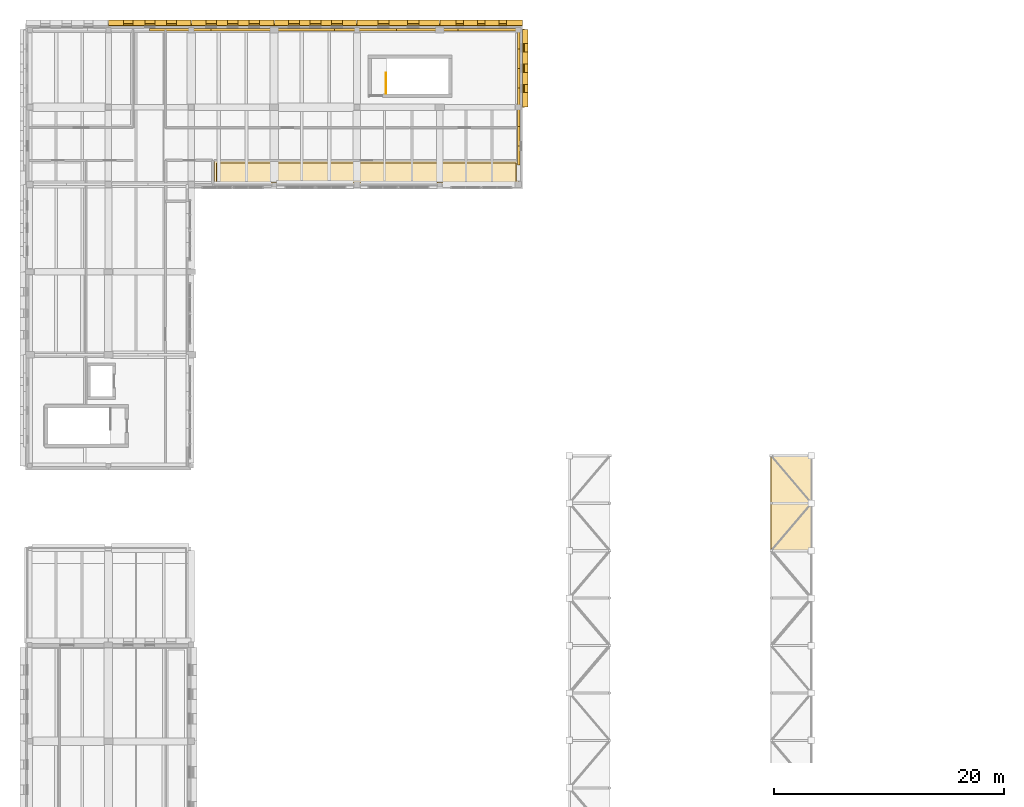
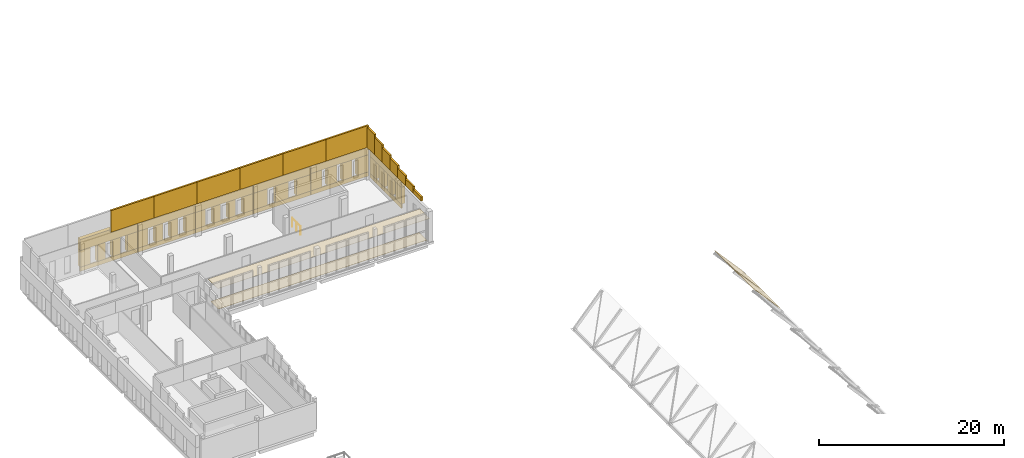
# One storey, part 33 of 34: 52 coverings, 1 railing.
"""IFC4 building model written with IfcOpenShell, lengths in metres."""

from ifc_helpers import new_model, si_unit, direction, frame, origin, origin_2d, place, context, subcontext, project, spatial, polyline, circle, outline, extrude, material, layer, layer_set, type_object, element, save


model = new_model("IFC4")

# Units and contexts
model_context = context("Model", 3, precision=1e-05, world=origin(), true_north=direction((0.0, 1.0)))
body_context = subcontext(model_context, "Body", "Model", "MODEL_VIEW")
ifc_project = project(units=[si_unit("LENGTHUNIT", "METRE"), si_unit("AREAUNIT", "SQUARE_METRE"), si_unit("VOLUMEUNIT", "CUBIC_METRE"), si_unit("PLANEANGLEUNIT", "RADIAN"), si_unit("MASSUNIT", "GRAM", prefix="KILO")], contexts=[model_context])

# Site, building, storey
site_placement = place(None, origin())
site = spatial("IfcSite", under=ifc_project, at=site_placement, CompositionType="ELEMENT")
building_placement = place(site_placement, origin())
building = spatial("IfcBuilding", under=site, at=building_placement, Name="Vardoun Plaza Health Centre", CompositionType="ELEMENT")
storey_placement = place(building_placement, frame((0.0, 0.0, 12.89990234375)))
storey = spatial("IfcBuildingStorey", under=building, at=storey_placement, Name="L03", CompositionType="ELEMENT", Elevation=12.89990234375)

# Coverings
ifc_material_1 = material(Name="Hygienic Acoustic Mineral-Fibre Ceiling", Category="concrete")
ifc_layer_1 = layer(ifc_material_1, 0.02490234375)
ifc_layer_set_1 = layer_set([ifc_layer_1], Name="Hygienic Acoustic Mineral-Fibre Ceiling")
covering_type_1 = type_object("IfcCoveringType", Name="CL-01", PredefinedType="CEILING", material=ifc_layer_set_1)
covering_1_placement = place(storey_placement, frame((0.0, 0.0, 2.89501953125)))
element("IfcCovering", 1, at=covering_1_placement, inside=storey, type_object=covering_type_1, Name="Maternal-Child Consulting Room 31 A Acoustic Ceiling", PredefinedType="CEILING", context=body_context, shape_type="SweptSolid", body=[
    extrude(outline(polyline([(20.903564453125, 101.4599609375), (20.903564453125, 103.570068359375), (47.340087890625, 103.570068359375), (47.340087890625, 101.4599609375), (20.903564453125, 101.4599609375)])), origin(), (0.0, 0.0, 1.0), 0.025146484375),
])
ifc_material_2 = material(Name="Pale Limestone Concrete C35/45", Category="masonry")
ifc_layer_2 = layer(ifc_material_2, 0.080078125)
ifc_layer_set_2 = layer_set([ifc_layer_2], Name="Pale Limestone Concrete C35/45")
covering_type_2 = type_object("IfcCoveringType", Name="CL-EXT1", PredefinedType="CLADDING", material=ifc_layer_set_2)
covering_2_placement = place(storey_placement, origin())
element("IfcCovering", 2, at=covering_2_placement, inside=storey, type_object=covering_type_2, Name="V3 L03 Pale Concrete Sill Band 915", PredefinedType="CLADDING", context=body_context, shape_type="SweptSolid", body=[
    extrude(outline(polyline([(11.719970703125, 115.300048828125), (18.8798828125, 115.300048828125), (18.8798828125, 115.43994140625), (11.719970703125, 115.43994140625), (11.719970703125, 115.300048828125)])), origin(), (0.0, 0.0, 1.0), 0.550048828125),
])
covering_3_placement = place(storey_placement, frame((0.0, 0.0, 2.75)))
element("IfcCovering", 3, at=covering_3_placement, inside=storey, type_object=covering_type_2, Name="V3 L03 Sculpted Concrete Eyebrow Hood 916", PredefinedType="CLADDING", context=body_context, shape_type="SweptSolid", body=[
    extrude(outline(polyline([(11.719970703125, 115.300048828125), (18.8798828125, 115.300048828125), (18.8798828125, 115.780029296875), (11.719970703125, 115.780029296875), (11.719970703125, 115.300048828125)])), origin(), (0.0, 0.0, 1.0), 1.4501953125),
])
covering_4_placement = place(storey_placement, frame((0.0, 0.0, 0.550048828125)))
element("IfcCovering", 4, at=covering_4_placement, inside=storey, type_object=covering_type_2, Name="V3 L03 Deep-Punched Slot Concrete Reveal Pier 917", PredefinedType="CLADDING", context=body_context, shape_type="SweptSolid", body=[
    extrude(outline(polyline([(11.719970703125, 115.300048828125), (12.998046875, 115.300048828125), (12.998046875, 115.780029296875), (11.719970703125, 115.780029296875), (11.719970703125, 115.300048828125)])), origin(), (0.0, 0.0, 1.0), 2.199951171875),
])
covering_5_placement = place(storey_placement, frame((0.0, 0.0, 0.550048828125)))
element("IfcCovering", 5, at=covering_5_placement, inside=storey, type_object=covering_type_2, Name="V3 L03 Deep-Punched Slot Concrete Reveal Pier 918", PredefinedType="CLADDING", context=body_context, shape_type="SweptSolid", body=[
    extrude(outline(polyline([(13.85791015625, 115.300048828125), (14.8701171875, 115.300048828125), (14.8701171875, 115.780029296875), (13.85791015625, 115.780029296875), (13.85791015625, 115.300048828125)])), origin(), (0.0, 0.0, 1.0), 2.199951171875),
])
covering_6_placement = place(storey_placement, frame((0.0, 0.0, 0.550048828125)))
element("IfcCovering", 6, at=covering_6_placement, inside=storey, type_object=covering_type_2, Name="V3 L03 Deep-Punched Slot Concrete Reveal Pier 919", PredefinedType="CLADDING", context=body_context, shape_type="SweptSolid", body=[
    extrude(outline(polyline([(15.72998046875, 115.300048828125), (16.741943359375, 115.300048828125), (16.741943359375, 115.780029296875), (15.72998046875, 115.780029296875), (15.72998046875, 115.300048828125)])), origin(), (0.0, 0.0, 1.0), 2.199951171875),
])
covering_7_placement = place(storey_placement, frame((0.0, 0.0, 0.550048828125)))
element("IfcCovering", 7, at=covering_7_placement, inside=storey, type_object=covering_type_2, Name="V3 L03 Deep-Punched Slot Concrete Reveal Pier 920", PredefinedType="CLADDING", context=body_context, shape_type="SweptSolid", body=[
    extrude(outline(polyline([(17.60205078125, 115.300048828125), (18.8798828125, 115.300048828125), (18.8798828125, 115.780029296875), (17.60205078125, 115.780029296875), (17.60205078125, 115.300048828125)])), origin(), (0.0, 0.0, 1.0), 2.199951171875),
])
covering_8_placement = place(storey_placement, origin())
element("IfcCovering", 8, at=covering_8_placement, inside=storey, type_object=covering_type_2, Name="V3 L03 Pale Concrete Sill Band 921", PredefinedType="CLADDING", context=body_context, shape_type="SweptSolid", body=[
    extrude(outline(polyline([(18.919921875, 115.300048828125), (26.080078125, 115.300048828125), (26.080078125, 115.43994140625), (18.919921875, 115.43994140625), (18.919921875, 115.300048828125)])), origin(), (0.0, 0.0, 1.0), 0.550048828125),
])
covering_9_placement = place(storey_placement, frame((0.0, 0.0, 2.75)))
element("IfcCovering", 9, at=covering_9_placement, inside=storey, type_object=covering_type_2, Name="V3 L03 Sculpted Concrete Eyebrow Hood 922", PredefinedType="CLADDING", context=body_context, shape_type="SweptSolid", body=[
    extrude(outline(polyline([(18.919921875, 115.300048828125), (26.080078125, 115.300048828125), (26.080078125, 115.780029296875), (18.919921875, 115.780029296875), (18.919921875, 115.300048828125)])), origin(), (0.0, 0.0, 1.0), 1.4501953125),
])
covering_10_placement = place(storey_placement, frame((0.0, 0.0, 0.550048828125)))
element("IfcCovering", 10, at=covering_10_placement, inside=storey, type_object=covering_type_2, Name="V3 L03 Deep-Punched Slot Concrete Reveal Pier 923", PredefinedType="CLADDING", context=body_context, shape_type="SweptSolid", body=[
    extrude(outline(polyline([(18.919921875, 115.300048828125), (20.177978515625, 115.300048828125), (20.177978515625, 115.780029296875), (18.919921875, 115.780029296875), (18.919921875, 115.300048828125)])), origin(), (0.0, 0.0, 1.0), 2.199951171875),
])
covering_11_placement = place(storey_placement, frame((0.0, 0.0, 0.550048828125)))
element("IfcCovering", 11, at=covering_11_placement, inside=storey, type_object=covering_type_2, Name="V3 L03 Deep-Punched Slot Concrete Reveal Pier 924", PredefinedType="CLADDING", context=body_context, shape_type="SweptSolid", body=[
    extrude(outline(polyline([(21.077880859375, 115.300048828125), (22.050048828125, 115.300048828125), (22.050048828125, 115.780029296875), (21.077880859375, 115.780029296875), (21.077880859375, 115.300048828125)])), origin(), (0.0, 0.0, 1.0), 2.199951171875),
])
covering_12_placement = place(storey_placement, frame((0.0, 0.0, 0.550048828125)))
element("IfcCovering", 12, at=covering_12_placement, inside=storey, type_object=covering_type_2, Name="V3 L03 Deep-Punched Slot Concrete Reveal Pier 925", PredefinedType="CLADDING", context=body_context, shape_type="SweptSolid", body=[
    extrude(outline(polyline([(22.949951171875, 115.300048828125), (23.922119140625, 115.300048828125), (23.922119140625, 115.780029296875), (22.949951171875, 115.780029296875), (22.949951171875, 115.300048828125)])), origin(), (0.0, 0.0, 1.0), 2.199951171875),
])
covering_13_placement = place(storey_placement, frame((0.0, 0.0, 0.550048828125)))
element("IfcCovering", 13, at=covering_13_placement, inside=storey, type_object=covering_type_2, Name="V3 L03 Deep-Punched Slot Concrete Reveal Pier 926", PredefinedType="CLADDING", context=body_context, shape_type="SweptSolid", body=[
    extrude(outline(polyline([(24.822021484375, 115.300048828125), (26.080078125, 115.300048828125), (26.080078125, 115.780029296875), (24.822021484375, 115.780029296875), (24.822021484375, 115.300048828125)])), origin(), (0.0, 0.0, 1.0), 2.199951171875),
])
covering_14_placement = place(storey_placement, origin())
element("IfcCovering", 14, at=covering_14_placement, inside=storey, type_object=covering_type_2, Name="V3 L03 Pale Concrete Sill Band 927", PredefinedType="CLADDING", context=body_context, shape_type="SweptSolid", body=[
    extrude(outline(polyline([(26.1201171875, 115.300048828125), (33.280029296875, 115.300048828125), (33.280029296875, 115.43994140625), (26.1201171875, 115.43994140625), (26.1201171875, 115.300048828125)])), origin(), (0.0, 0.0, 1.0), 0.550048828125),
])
covering_15_placement = place(storey_placement, frame((0.0, 0.0, 2.72998046875)))
element("IfcCovering", 15, at=covering_15_placement, inside=storey, type_object=covering_type_2, Name="V3 L03 Sculpted Concrete Eyebrow Hood 928", PredefinedType="CLADDING", context=body_context, shape_type="SweptSolid", body=[
    extrude(outline(polyline([(26.1201171875, 115.300048828125), (33.280029296875, 115.300048828125), (33.280029296875, 115.780029296875), (26.1201171875, 115.780029296875), (26.1201171875, 115.300048828125)])), origin(), (0.0, 0.0, 1.0), 1.47021484375),
])
covering_16_placement = place(storey_placement, frame((0.0, 0.0, 0.550048828125)))
element("IfcCovering", 16, at=covering_16_placement, inside=storey, type_object=covering_type_2, Name="V3 L03 Deep-Punched Slot Concrete Reveal Pier 929", PredefinedType="CLADDING", context=body_context, shape_type="SweptSolid", body=[
    extrude(outline(polyline([(26.1201171875, 115.300048828125), (27.35791015625, 115.300048828125), (27.35791015625, 115.780029296875), (26.1201171875, 115.780029296875), (26.1201171875, 115.300048828125)])), origin(), (0.0, 0.0, 1.0), 2.179931640625),
])
covering_17_placement = place(storey_placement, frame((0.0, 0.0, 0.550048828125)))
element("IfcCovering", 17, at=covering_17_placement, inside=storey, type_object=covering_type_2, Name="V3 L03 Deep-Punched Slot Concrete Reveal Pier 930", PredefinedType="CLADDING", context=body_context, shape_type="SweptSolid", body=[
    extrude(outline(polyline([(28.298095703125, 115.300048828125), (29.22998046875, 115.300048828125), (29.22998046875, 115.780029296875), (28.298095703125, 115.780029296875), (28.298095703125, 115.300048828125)])), origin(), (0.0, 0.0, 1.0), 2.179931640625),
])
covering_18_placement = place(storey_placement, frame((0.0, 0.0, 0.550048828125)))
element("IfcCovering", 18, at=covering_18_placement, inside=storey, type_object=covering_type_2, Name="V3 L03 Deep-Punched Slot Concrete Reveal Pier 931", PredefinedType="CLADDING", context=body_context, shape_type="SweptSolid", body=[
    extrude(outline(polyline([(30.169921875, 115.300048828125), (31.10205078125, 115.300048828125), (31.10205078125, 115.780029296875), (30.169921875, 115.780029296875), (30.169921875, 115.300048828125)])), origin(), (0.0, 0.0, 1.0), 2.179931640625),
])
covering_19_placement = place(storey_placement, frame((0.0, 0.0, 0.550048828125)))
element("IfcCovering", 19, at=covering_19_placement, inside=storey, type_object=covering_type_2, Name="V3 L03 Deep-Punched Slot Concrete Reveal Pier 932", PredefinedType="CLADDING", context=body_context, shape_type="SweptSolid", body=[
    extrude(outline(polyline([(32.0419921875, 115.300048828125), (33.280029296875, 115.300048828125), (33.280029296875, 115.780029296875), (32.0419921875, 115.780029296875), (32.0419921875, 115.300048828125)])), origin(), (0.0, 0.0, 1.0), 2.179931640625),
])
covering_20_placement = place(storey_placement, origin())
element("IfcCovering", 20, at=covering_20_placement, inside=storey, type_object=covering_type_2, Name="V3 L03 Pale Concrete Sill Band 933", PredefinedType="CLADDING", context=body_context, shape_type="SweptSolid", body=[
    extrude(outline(polyline([(33.320068359375, 115.300048828125), (40.47998046875, 115.300048828125), (40.47998046875, 115.43994140625), (33.320068359375, 115.43994140625), (33.320068359375, 115.300048828125)])), origin(), (0.0, 0.0, 1.0), 0.550048828125),
])
covering_21_placement = place(storey_placement, frame((0.0, 0.0, 2.72998046875)))
element("IfcCovering", 21, at=covering_21_placement, inside=storey, type_object=covering_type_2, Name="V3 L03 Sculpted Concrete Eyebrow Hood 934", PredefinedType="CLADDING", context=body_context, shape_type="SweptSolid", body=[
    extrude(outline(polyline([(33.320068359375, 115.300048828125), (40.47998046875, 115.300048828125), (40.47998046875, 115.780029296875), (33.320068359375, 115.780029296875), (33.320068359375, 115.300048828125)])), origin(), (0.0, 0.0, 1.0), 1.47021484375),
])
covering_22_placement = place(storey_placement, frame((0.0, 0.0, 0.550048828125)))
element("IfcCovering", 22, at=covering_22_placement, inside=storey, type_object=covering_type_2, Name="V3 L03 Deep-Punched Slot Concrete Reveal Pier 935", PredefinedType="CLADDING", context=body_context, shape_type="SweptSolid", body=[
    extrude(outline(polyline([(33.320068359375, 115.300048828125), (35.114013671875, 115.300048828125), (35.114013671875, 115.780029296875), (33.320068359375, 115.780029296875), (33.320068359375, 115.300048828125)])), origin(), (0.0, 0.0, 1.0), 2.179931640625),
])
covering_23_placement = place(storey_placement, frame((0.0, 0.0, 0.550048828125)))
element("IfcCovering", 23, at=covering_23_placement, inside=storey, type_object=covering_type_2, Name="V3 L03 Deep-Punched Slot Concrete Reveal Pier 936", PredefinedType="CLADDING", context=body_context, shape_type="SweptSolid", body=[
    extrude(outline(polyline([(36.093994140625, 115.300048828125), (37.7060546875, 115.300048828125), (37.7060546875, 115.780029296875), (36.093994140625, 115.780029296875), (36.093994140625, 115.300048828125)])), origin(), (0.0, 0.0, 1.0), 2.179931640625),
])
covering_24_placement = place(storey_placement, frame((0.0, 0.0, 0.550048828125)))
element("IfcCovering", 24, at=covering_24_placement, inside=storey, type_object=covering_type_2, Name="V3 L03 Deep-Punched Slot Concrete Reveal Pier 937", PredefinedType="CLADDING", context=body_context, shape_type="SweptSolid", body=[
    extrude(outline(polyline([(38.68603515625, 115.300048828125), (40.47998046875, 115.300048828125), (40.47998046875, 115.780029296875), (38.68603515625, 115.780029296875), (38.68603515625, 115.300048828125)])), origin(), (0.0, 0.0, 1.0), 2.179931640625),
])
covering_25_placement = place(storey_placement, origin())
element("IfcCovering", 25, at=covering_25_placement, inside=storey, type_object=covering_type_2, Name="V3 L03 Pale Concrete Sill Band 938", PredefinedType="CLADDING", context=body_context, shape_type="SweptSolid", body=[
    extrude(outline(polyline([(40.52001953125, 115.300048828125), (47.679931640625, 115.300048828125), (47.679931640625, 115.43994140625), (40.52001953125, 115.43994140625), (40.52001953125, 115.300048828125)])), origin(), (0.0, 0.0, 1.0), 0.550048828125),
])
covering_26_placement = place(storey_placement, frame((0.0, 0.0, 2.830078125)))
element("IfcCovering", 26, at=covering_26_placement, inside=storey, type_object=covering_type_2, Name="V3 L03 Sculpted Concrete Eyebrow Hood 939", PredefinedType="CLADDING", context=body_context, shape_type="SweptSolid", body=[
    extrude(outline(polyline([(40.52001953125, 115.300048828125), (47.679931640625, 115.300048828125), (47.679931640625, 115.780029296875), (40.52001953125, 115.780029296875), (40.52001953125, 115.300048828125)])), origin(), (0.0, 0.0, 1.0), 1.3701171875),
])
covering_27_placement = place(storey_placement, frame((0.0, 0.0, 0.550048828125)))
element("IfcCovering", 27, at=covering_27_placement, inside=storey, type_object=covering_type_2, Name="V3 L03 Deep-Punched Slot Concrete Reveal Pier 940", PredefinedType="CLADDING", context=body_context, shape_type="SweptSolid", body=[
    extrude(outline(polyline([(40.52001953125, 115.300048828125), (41.907958984375, 115.300048828125), (41.907958984375, 115.780029296875), (40.52001953125, 115.780029296875), (40.52001953125, 115.300048828125)])), origin(), (0.0, 0.0, 1.0), 2.280029296875),
])
covering_28_placement = place(storey_placement, frame((0.0, 0.0, 0.550048828125)))
element("IfcCovering", 28, at=covering_28_placement, inside=storey, type_object=covering_type_2, Name="V3 L03 Deep-Punched Slot Concrete Reveal Pier 941", PredefinedType="CLADDING", context=body_context, shape_type="SweptSolid", body=[
    extrude(outline(polyline([(42.548095703125, 115.300048828125), (43.780029296875, 115.300048828125), (43.780029296875, 115.780029296875), (42.548095703125, 115.780029296875), (42.548095703125, 115.300048828125)])), origin(), (0.0, 0.0, 1.0), 2.280029296875),
])
covering_29_placement = place(storey_placement, frame((0.0, 0.0, 0.550048828125)))
element("IfcCovering", 29, at=covering_29_placement, inside=storey, type_object=covering_type_2, Name="V3 L03 Deep-Punched Slot Concrete Reveal Pier 942", PredefinedType="CLADDING", context=body_context, shape_type="SweptSolid", body=[
    extrude(outline(polyline([(44.419921875, 115.300048828125), (45.652099609375, 115.300048828125), (45.652099609375, 115.780029296875), (44.419921875, 115.780029296875), (44.419921875, 115.300048828125)])), origin(), (0.0, 0.0, 1.0), 2.280029296875),
])
covering_30_placement = place(storey_placement, frame((0.0, 0.0, 0.550048828125)))
element("IfcCovering", 30, at=covering_30_placement, inside=storey, type_object=covering_type_2, Name="V3 L03 Deep-Punched Slot Concrete Reveal Pier 943", PredefinedType="CLADDING", context=body_context, shape_type="SweptSolid", body=[
    extrude(outline(polyline([(46.2919921875, 115.300048828125), (47.679931640625, 115.300048828125), (47.679931640625, 115.780029296875), (46.2919921875, 115.780029296875), (46.2919921875, 115.300048828125)])), origin(), (0.0, 0.0, 1.0), 2.280029296875),
])
covering_31_placement = place(storey_placement, origin())
element("IfcCovering", 31, at=covering_31_placement, inside=storey, type_object=covering_type_2, Name="V3 L03 Pale Concrete Sill Band 944", PredefinedType="CLADDING", context=body_context, shape_type="SweptSolid", body=[
    extrude(outline(polyline([(47.699951171875, 114.965087890625), (47.699951171875, 108.219970703125), (47.840087890625, 108.219970703125), (47.840087890625, 114.965087890625), (47.699951171875, 114.965087890625)])), origin(), (0.0, 0.0, 1.0), 0.550048828125),
])
covering_32_placement = place(storey_placement, frame((0.0, 0.0, 2.77001953125)))
element("IfcCovering", 32, at=covering_32_placement, inside=storey, type_object=covering_type_2, Name="V3 L03 Sculpted Concrete Eyebrow Hood 945", PredefinedType="CLADDING", context=body_context, shape_type="SweptSolid", body=[
    extrude(outline(polyline([(47.699951171875, 114.965087890625), (47.699951171875, 108.219970703125), (48.179931640625, 108.219970703125), (48.179931640625, 114.965087890625), (47.699951171875, 114.965087890625)])), origin(), (0.0, 0.0, 1.0), 1.43017578125),
])
covering_33_placement = place(storey_placement, frame((0.0, 0.0, 0.550048828125)))
element("IfcCovering", 33, at=covering_33_placement, inside=storey, type_object=covering_type_2, Name="V3 L03 Deep-Punched Slot Concrete Reveal Pier 946", PredefinedType="CLADDING", context=body_context, shape_type="SweptSolid", body=[
    extrude(outline(polyline([(47.699951171875, 114.965087890625), (47.699951171875, 113.716552734375), (48.179931640625, 113.716552734375), (48.179931640625, 114.965087890625), (47.699951171875, 114.965087890625)])), origin(), (0.0, 0.0, 1.0), 2.219970703125),
])
covering_34_placement = place(storey_placement, frame((0.0, 0.0, 0.550048828125)))
element("IfcCovering", 34, at=covering_34_placement, inside=storey, type_object=covering_type_2, Name="V3 L03 Deep-Punched Slot Concrete Reveal Pier 947", PredefinedType="CLADDING", context=body_context, shape_type="SweptSolid", body=[
    extrude(outline(polyline([(47.699951171875, 112.99658203125), (47.699951171875, 111.952392578125), (48.179931640625, 111.952392578125), (48.179931640625, 112.99658203125), (47.699951171875, 112.99658203125)])), origin(), (0.0, 0.0, 1.0), 2.219970703125),
])
covering_35_placement = place(storey_placement, frame((0.0, 0.0, 0.550048828125)))
element("IfcCovering", 35, at=covering_35_placement, inside=storey, type_object=covering_type_2, Name="V3 L03 Deep-Punched Slot Concrete Reveal Pier 948", PredefinedType="CLADDING", context=body_context, shape_type="SweptSolid", body=[
    extrude(outline(polyline([(47.699951171875, 111.232421875), (47.699951171875, 110.1884765625), (48.179931640625, 110.1884765625), (48.179931640625, 111.232421875), (47.699951171875, 111.232421875)])), origin(), (0.0, 0.0, 1.0), 2.219970703125),
])
covering_36_placement = place(storey_placement, frame((0.0, 0.0, 0.550048828125)))
element("IfcCovering", 36, at=covering_36_placement, inside=storey, type_object=covering_type_2, Name="V3 L03 Deep-Punched Slot Concrete Reveal Pier 949", PredefinedType="CLADDING", context=body_context, shape_type="SweptSolid", body=[
    extrude(outline(polyline([(47.699951171875, 109.468505859375), (47.699951171875, 108.219970703125), (48.179931640625, 108.219970703125), (48.179931640625, 109.468505859375), (47.699951171875, 109.468505859375)])), origin(), (0.0, 0.0, 1.0), 2.219970703125),
])
covering_37_placement = place(storey_placement, frame((0.0, 0.0, 4.2001953125)))
element("IfcCovering", 37, at=covering_37_placement, inside=storey, type_object=covering_type_2, Name="Sculpted Concrete Roof Gable Cladding V3-S3-E.2", PredefinedType="CLADDING", context=body_context, shape_type="SweptSolid", body=[
    extrude(outline(polyline([(47.4599609375, 103.159912109375), (47.4599609375, 104.840087890625), (47.239990234375, 104.840087890625), (47.239990234375, 103.159912109375), (47.4599609375, 103.159912109375)])), origin(), (0.0, 0.0, 1.0), 0.534423828125),
])
covering_38_placement = place(storey_placement, frame((0.0, 0.0, 4.2001953125)))
element("IfcCovering", 38, at=covering_38_placement, inside=storey, type_object=covering_type_2, Name="Sculpted Concrete Roof Gable Cladding V3-S3-E.3", PredefinedType="CLADDING", context=body_context, shape_type="SweptSolid", body=[
    extrude(outline(polyline([(47.4599609375, 104.840087890625), (47.4599609375, 106.52001953125), (47.239990234375, 106.52001953125), (47.239990234375, 104.840087890625), (47.4599609375, 104.840087890625)])), origin(), (0.0, 0.0, 1.0), 0.890380859375),
])
covering_39_placement = place(storey_placement, frame((0.0, 0.0, 4.2001953125)))
element("IfcCovering", 39, at=covering_39_placement, inside=storey, type_object=covering_type_2, Name="Sculpted Concrete Roof Gable Cladding V3-S3-E.4", PredefinedType="CLADDING", context=body_context, shape_type="SweptSolid", body=[
    extrude(outline(polyline([(47.4599609375, 106.52001953125), (47.4599609375, 108.199951171875), (47.239990234375, 108.199951171875), (47.239990234375, 106.52001953125), (47.4599609375, 106.52001953125)])), origin(), (0.0, 0.0, 1.0), 1.246826171875),
])
covering_40_placement = place(storey_placement, frame((0.0, 0.0, 4.2001953125)))
element("IfcCovering", 40, at=covering_40_placement, inside=storey, type_object=covering_type_2, Name="Sculpted Concrete Roof Gable Cladding V3-S3-E.5", PredefinedType="CLADDING", context=body_context, shape_type="SweptSolid", body=[
    extrude(outline(polyline([(47.4599609375, 108.199951171875), (47.4599609375, 109.8798828125), (47.239990234375, 109.8798828125), (47.239990234375, 108.199951171875), (47.4599609375, 108.199951171875)])), origin(), (0.0, 0.0, 1.0), 1.60302734375),
])
covering_41_placement = place(storey_placement, frame((0.0, 0.0, 4.2001953125)))
element("IfcCovering", 41, at=covering_41_placement, inside=storey, type_object=covering_type_2, Name="Sculpted Concrete Roof Gable Cladding V3-S3-E.6", PredefinedType="CLADDING", context=body_context, shape_type="SweptSolid", body=[
    extrude(outline(polyline([(47.4599609375, 109.8798828125), (47.4599609375, 111.56005859375), (47.239990234375, 111.56005859375), (47.239990234375, 109.8798828125), (47.4599609375, 109.8798828125)])), origin(), (0.0, 0.0, 1.0), 1.959228515625),
])
covering_42_placement = place(storey_placement, frame((0.0, 0.0, 4.2001953125)))
element("IfcCovering", 42, at=covering_42_placement, inside=storey, type_object=covering_type_2, Name="Sculpted Concrete Roof Gable Cladding V3-S3-E.7", PredefinedType="CLADDING", context=body_context, shape_type="SweptSolid", body=[
    extrude(outline(polyline([(47.4599609375, 111.56005859375), (47.4599609375, 113.239990234375), (47.239990234375, 113.239990234375), (47.239990234375, 111.56005859375), (47.4599609375, 111.56005859375)])), origin(), (0.0, 0.0, 1.0), 2.3154296875),
])
covering_43_placement = place(storey_placement, frame((0.0, 0.0, 4.2001953125)))
element("IfcCovering", 43, at=covering_43_placement, inside=storey, type_object=covering_type_2, Name="Sculpted Concrete Roof Gable Cladding V3-S3-E.8", PredefinedType="CLADDING", context=body_context, shape_type="SweptSolid", body=[
    extrude(outline(polyline([(47.4599609375, 113.239990234375), (47.4599609375, 114.919921875), (47.239990234375, 114.919921875), (47.239990234375, 113.239990234375), (47.4599609375, 113.239990234375)])), origin(), (0.0, 0.0, 1.0), 2.671875),
])
covering_44_placement = place(storey_placement, frame((0.0, 0.0, 4.2001953125)))
element("IfcCovering", 44, at=covering_44_placement, inside=storey, type_object=covering_type_2, Name="Sculpted Concrete Roof Gable Cladding V3-S3-N.3", PredefinedType="CLADDING", context=body_context, shape_type="SweptSolid", body=[
    extrude(outline(polyline([(15.27001953125, 114.820068359375), (20.635009765625, 114.820068359375), (20.635009765625, 115.0400390625), (15.27001953125, 115.0400390625), (15.27001953125, 114.820068359375)])), origin(), (0.0, 0.0, 1.0), 2.849853515625),
])
covering_45_placement = place(storey_placement, frame((0.0, 0.0, 4.2001953125)))
element("IfcCovering", 45, at=covering_45_placement, inside=storey, type_object=covering_type_2, Name="Sculpted Concrete Roof Gable Cladding V3-S3-N.4", PredefinedType="CLADDING", context=body_context, shape_type="SweptSolid", body=[
    extrude(outline(polyline([(20.635009765625, 114.820068359375), (26.0, 114.820068359375), (26.0, 115.0400390625), (20.635009765625, 115.0400390625), (20.635009765625, 114.820068359375)])), origin(), (0.0, 0.0, 1.0), 2.849853515625),
])
covering_46_placement = place(storey_placement, frame((0.0, 0.0, 4.2001953125)))
element("IfcCovering", 46, at=covering_46_placement, inside=storey, type_object=covering_type_2, Name="Sculpted Concrete Roof Gable Cladding V3-S3-N.5", PredefinedType="CLADDING", context=body_context, shape_type="SweptSolid", body=[
    extrude(outline(polyline([(26.0, 114.820068359375), (31.364990234375, 114.820068359375), (31.364990234375, 115.0400390625), (26.0, 115.0400390625), (26.0, 114.820068359375)])), origin(), (0.0, 0.0, 1.0), 2.849853515625),
])
covering_47_placement = place(storey_placement, frame((0.0, 0.0, 4.2001953125)))
element("IfcCovering", 47, at=covering_47_placement, inside=storey, type_object=covering_type_2, Name="Sculpted Concrete Roof Gable Cladding V3-S3-N.6", PredefinedType="CLADDING", context=body_context, shape_type="SweptSolid", body=[
    extrude(outline(polyline([(31.364990234375, 114.820068359375), (36.72998046875, 114.820068359375), (36.72998046875, 115.0400390625), (31.364990234375, 115.0400390625), (31.364990234375, 114.820068359375)])), origin(), (0.0, 0.0, 1.0), 2.849853515625),
])
covering_48_placement = place(storey_placement, frame((0.0, 0.0, 4.2001953125)))
element("IfcCovering", 48, at=covering_48_placement, inside=storey, type_object=covering_type_2, Name="Sculpted Concrete Roof Gable Cladding V3-S3-N.7", PredefinedType="CLADDING", context=body_context, shape_type="SweptSolid", body=[
    extrude(outline(polyline([(36.72998046875, 114.820068359375), (42.094970703125, 114.820068359375), (42.094970703125, 115.0400390625), (36.72998046875, 115.0400390625), (36.72998046875, 114.820068359375)])), origin(), (0.0, 0.0, 1.0), 2.849853515625),
])
covering_49_placement = place(storey_placement, frame((0.0, 0.0, 4.2001953125)))
element("IfcCovering", 49, at=covering_49_placement, inside=storey, type_object=covering_type_2, Name="Sculpted Concrete Roof Gable Cladding V3-S3-N.8", PredefinedType="CLADDING", context=body_context, shape_type="SweptSolid", body=[
    extrude(outline(polyline([(42.094970703125, 114.820068359375), (47.4599609375, 114.820068359375), (47.4599609375, 115.0400390625), (42.094970703125, 115.0400390625), (42.094970703125, 114.820068359375)])), origin(), (0.0, 0.0, 1.0), 2.849853515625),
])
ifc_material_3 = material(Name="Seamless Conductive Clinical Vinyl Flooring", Category="concrete")
ifc_layer_3 = layer(ifc_material_3, 0.014892578125)
ifc_layer_set_3 = layer_set([ifc_layer_3], Name="Seamless Conductive Clinical Vinyl Flooring")
covering_type_3 = type_object("IfcCoveringType", Name="FL-01", PredefinedType="FLOORING", material=ifc_layer_set_3)
covering_50_placement = place(storey_placement, origin())
element("IfcCovering", 50, at=covering_50_placement, inside=storey, type_object=covering_type_3, Name="Maternal-Child Consulting Room 31 A Floor Finish", PredefinedType="FLOORING", context=body_context, shape_type="SweptSolid", body=[
    extrude(outline(polyline([(21.113525390625, 101.669921875), (21.113525390625, 103.360107421875), (47.1298828125, 103.360107421875), (47.1298828125, 101.669921875), (21.113525390625, 101.669921875)])), origin(), (0.0, 0.0, 1.0), 0.01513671875),
])
ifc_material_4 = material(Name="EPDM Insulated Roof Membrane", Category="concrete")
ifc_layer_4 = layer(ifc_material_4, 0.044921875)
ifc_layer_set_4 = layer_set([ifc_layer_4], Name="EPDM Insulated Roof Membrane")
covering_type_4 = type_object("IfcCoveringType", Name="CV-M1", PredefinedType="ROOFING", material=ifc_layer_set_4)
covering_51_placement = place(storey_placement, frame((69.2900390625, 69.672119140625, 5.330078125), z_axis=(0.746949195485, 0.0, 0.664881116715), x_axis=(0.664881116715, 0.0, -0.746949195485)))
element("IfcCovering", 51, at=covering_51_placement, inside=storey, type_object=covering_type_4, Name="Gridshell Vault Cladding 9.7", PredefinedType="ROOFING", context=body_context, shape_type="SweptSolid", body=[
    extrude(outline(polyline([(0.0, 0.0), (5.2714428555527295, 0.0), (5.2714428555527295, 4.123779296875), (0.0, 4.123779296875), (0.0, 0.0)])), origin(), (0.0, 0.0, -1.0), 0.044921875),
])
covering_52_placement = place(storey_placement, frame((69.2900390625, 73.7958984375, 5.330078125), z_axis=(0.746949195485, 0.0, 0.664881116715), x_axis=(0.664881116715, 0.0, -0.746949195485)))
element("IfcCovering", 52, at=covering_52_placement, inside=storey, type_object=covering_type_4, Name="Gridshell Vault Cladding 10.7", PredefinedType="ROOFING", context=body_context, shape_type="SweptSolid", body=[
    extrude(outline(polyline([(0.0, 0.0), (5.2714428555527295, 0.0), (5.2714428555527295, 4.124023437499999), (0.0, 4.124023437499999), (0.0, 0.0)])), origin(), (0.0, 0.0, -1.0), 0.044921875),
])

# Railing
ifc_material_5 = material(Name="Painted Steel S275JR Stair-Well Guardrail", Category="steel")
railing_type = type_object("IfcRailingType", Name="GR-04", PredefinedType="GUARDRAIL", material=ifc_material_5)
railing_placement = place(storey_placement, frame((35.81005859375, 109.3798828125, 0.0)))
element("IfcRailing", 53, at=railing_placement, inside=storey, type_object=railing_type, Name="Stair ST-C4-L02 Upper Landing Well Guard", PredefinedType="GUARDRAIL", context=body_context, shape_type="SweptSolid", body=[
    extrude(circle(Radius=0.02392578125, at=origin_2d()), frame((0.0, 0.0, 1.09619140625), z_axis=(0.0, 1.0, 0.0), x_axis=(-1.0, 0.0, 0.0)), (0.0, 0.0, 1.0), 1.815185546875),
    extrude(circle(Radius=0.02099609375, at=origin_2d()), origin(), (0.0, 0.0, 1.0), 1.072021484375),
    extrude(circle(Radius=0.02099609375, at=origin_2d()), frame((0.0, 0.90771484375, 0.0)), (0.0, 0.0, 1.0), 1.072021484375),
    extrude(circle(Radius=0.02099609375, at=origin_2d()), frame((0.0, 1.815185546875, 0.0)), (0.0, 0.0, 1.0), 1.072021484375),
])

save(model, "model.ifc")
